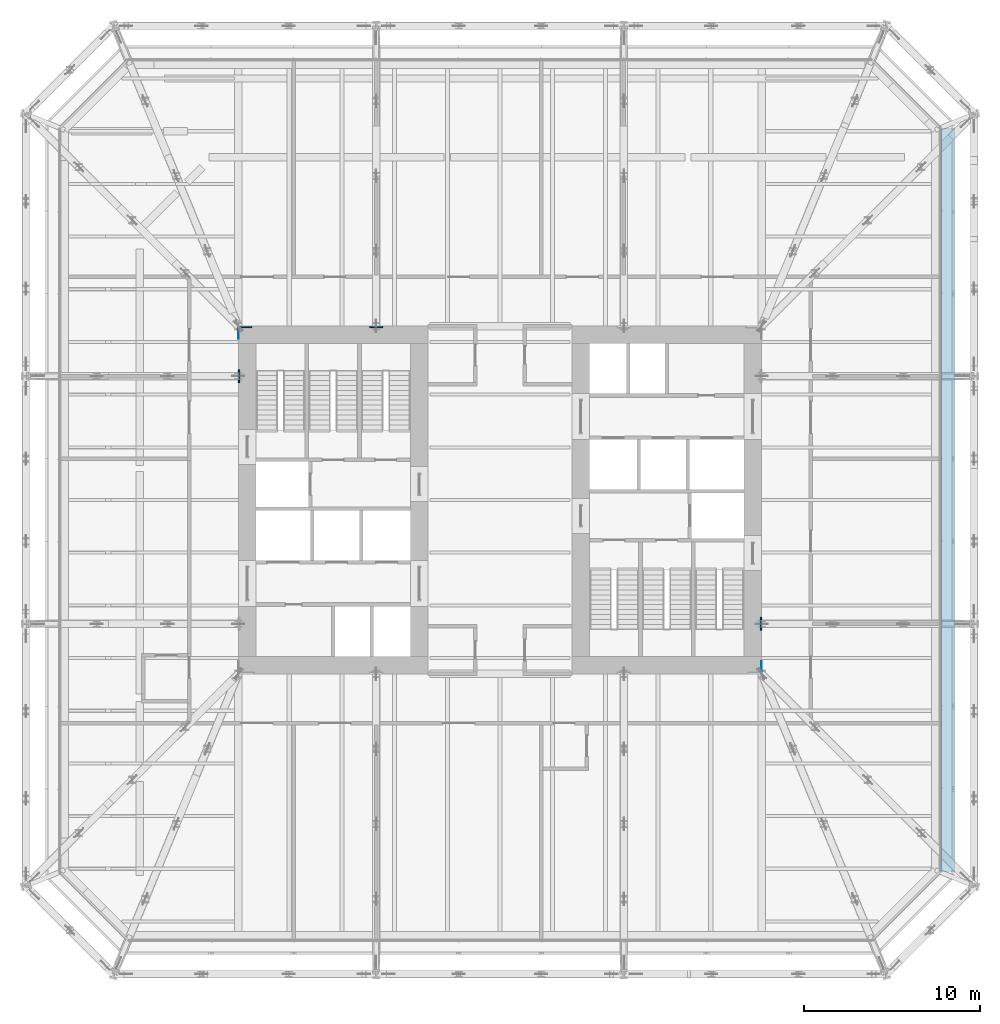
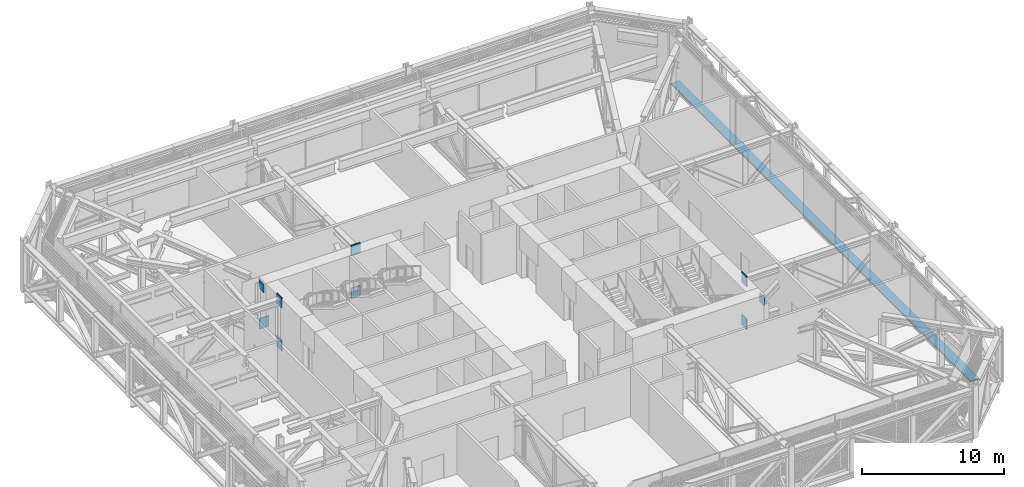
# One storey, part 27 of 33: 10 discrete accessories.
"""IFC4 building model written with IfcOpenShell, lengths in metres."""

from ifc_helpers import new_model, si_unit, direction, frame, origin, origin_2d, place, context, subcontext, project, spatial, rectangle, extrude, material, layer, layer_set, type_object, element, save


model = new_model("IFC4")

# Units and contexts
model_context = context("Model", 3, precision=1e-05, world=origin(), true_north=direction((0.0, 1.0)))
body_context = subcontext(model_context, "Body", "Model", "MODEL_VIEW")
ifc_project = project(units=[si_unit("LENGTHUNIT", "METRE"), si_unit("AREAUNIT", "SQUARE_METRE"), si_unit("VOLUMEUNIT", "CUBIC_METRE"), si_unit("PLANEANGLEUNIT", "RADIAN"), si_unit("MASSUNIT", "GRAM", prefix="KILO")], contexts=[model_context])

# Site, building, storey
site_placement = place(None, origin())
site = spatial("IfcSite", under=ifc_project, at=site_placement, CompositionType="ELEMENT")
building_placement = place(site_placement, origin())
building = spatial("IfcBuilding", under=site, at=building_placement, Name="Millrace Tower", CompositionType="ELEMENT")
storey_placement = place(building_placement, frame((0.0, 0.0, 64.10009765625)))
storey = spatial("IfcBuildingStorey", under=building, at=storey_placement, Name="L14", CompositionType="ELEMENT", Elevation=64.10009765625)

# Discrete accessories
ifc_material_1 = material(Name="Steel ASTM A572 Grade 50", Category="steel")
ifc_layer_1 = layer(ifc_material_1, 0.030029296875)
ifc_layer_set_1 = layer_set([ifc_layer_1], Name="Steel ASTM A572 Grade 50")
discrete_accessory_type_1 = type_object("IfcDiscreteAccessoryType", Name="Cast-in anchor plate 705x795x30", PredefinedType="ANCHORPLATE", material=ifc_layer_set_1)
for number, where, z_axis, x_axis, name in (
    (1, (14.8701171875, -9.547607421875, 3.686767578125), (1.0, 0.0, 0.0), (0.0, 1.0, 0.0), "Cast-in anchor plate BLT-L14-O05-V00"),
    (2, (-14.8701171875, 9.547607421875, 3.686767578125), (-1.0, 0.0, 0.0), (0.0, -1.0, 0.0), "Cast-in anchor plate BLT-L14-O13-V00"),
):
    element("IfcDiscreteAccessory", number, at=place(storey_placement, frame(where, z_axis=z_axis, x_axis=x_axis)), inside=storey, type_object=discrete_accessory_type_1, Name=name, PredefinedType="ANCHORPLATE", context=body_context, shape_type="SweptSolid", body=[
        extrude(rectangle(XDim=0.705078125, YDim=0.794921875, at=origin_2d()), origin(), (0.0, 0.0, 1.0), 0.02978515625),
    ])
ifc_material_2 = material(Name="Steel ASTM A572 Grade 50", Category="steel")
ifc_layer_2 = layer(ifc_material_2, 0.080078125)
ifc_layer_set_2 = layer_set([ifc_layer_2], Name="Steel ASTM A572 Grade 50")
discrete_accessory_type_2 = type_object("IfcDiscreteAccessoryType", Name="Cast-in anchor plate 740x915x80", PredefinedType="ANCHORPLATE", material=ifc_layer_set_2)
for number, where, z_axis, x_axis, name in (
    (3, (14.820068359375, -7.050048828125, 0.25634765625), (1.0, 0.0, 0.0), (0.0, 1.0, 0.0), "Cast-in anchor plate BLT-L14-O07-B01"),
    (4, (14.820068359375, -7.050048828125, 3.943359375), (1.0, 0.0, 0.0), (0.0, 1.0, 0.0), "Cast-in anchor plate BLT-L14-O07-T01"),
    (5, (-7.050048828125, 9.820068359375, 0.25634765625), (0.0, 1.0, 0.0), (-1.0, 0.0, 0.0), "Cast-in anchor plate BLT-L14-O12-B01"),
    (6, (-7.050048828125, 9.820068359375, 3.943359375), (0.0, 1.0, 0.0), (-1.0, 0.0, 0.0), "Cast-in anchor plate BLT-L14-O12-T01"),
    (7, (-14.820068359375, 7.050048828125, 0.25634765625), (-1.0, 0.0, 0.0), (0.0, -1.0, 0.0), "Cast-in anchor plate BLT-L14-O15-B01"),
    (8, (-14.820068359375, 7.050048828125, 3.943359375), (-1.0, 0.0, 0.0), (0.0, -1.0, 0.0), "Cast-in anchor plate BLT-L14-O15-T01"),
):
    element("IfcDiscreteAccessory", number, at=place(storey_placement, frame(where, z_axis=z_axis, x_axis=x_axis)), inside=storey, type_object=discrete_accessory_type_2, Name=name, PredefinedType="ANCHORPLATE", context=body_context, shape_type="SweptSolid", body=[
        extrude(rectangle(XDim=0.739990234375, YDim=0.9150390625, at=origin_2d()), origin(), (0.0, 0.0, 1.0), 0.079833984375),
    ])
ifc_material_3 = material(Name="Steel ASTM A572 Grade 50", Category="steel")
ifc_layer_3 = layer(ifc_material_3, 0.080078125)
ifc_layer_set_3 = layer_set([ifc_layer_3], Name="Steel ASTM A572 Grade 50")
discrete_accessory_type_3 = type_object("IfcDiscreteAccessoryType", Name="Cast-in anchor plate 775x915x80", PredefinedType="ANCHORPLATE", material=ifc_layer_set_3)
discrete_accessory_1_placement = place(storey_placement, frame((-14.512451171875, 9.820068359375, 0.25634765625), z_axis=(0.0, 1.0, 0.0), x_axis=(-1.0, 0.0, 0.0)))
element("IfcDiscreteAccessory", 9, at=discrete_accessory_1_placement, inside=storey, type_object=discrete_accessory_type_3, Name="Cast-in anchor plate BLT-L14-O13-B01", PredefinedType="ANCHORPLATE", context=body_context, shape_type="SweptSolid", body=[
    extrude(rectangle(XDim=0.77490234375, YDim=0.9150390625, at=origin_2d()), origin(), (0.0, 0.0, 1.0), 0.079833984375),
])
ifc_material_4 = material(Name="Stainless steel ASTM A240 type 316", Category="steel")
discrete_accessory_type_4 = type_object("IfcDiscreteAccessoryType", Name="Thermally broken screen support rail", PredefinedType="BRACKET", material=ifc_material_4)
discrete_accessory_2_placement = place(storey_placement, frame((25.510009765625, 0.0, -0.000244140625), z_axis=(0.0, 0.0, 1.0), x_axis=(0.0, 1.0, 0.0)))
element("IfcDiscreteAccessory", 10, at=discrete_accessory_2_placement, inside=storey, type_object=discrete_accessory_type_4, Name="Thermally broken screen support rail A-F04 L14 1", PredefinedType="BRACKET", context=body_context, shape_type="SweptSolid", body=[
    extrude(rectangle(XDim=42.300048828125, YDim=0.719970703125, at=origin_2d()), origin(), (0.0, 0.0, 1.0), 0.10009765625),
])

save(model, "model.ifc")
